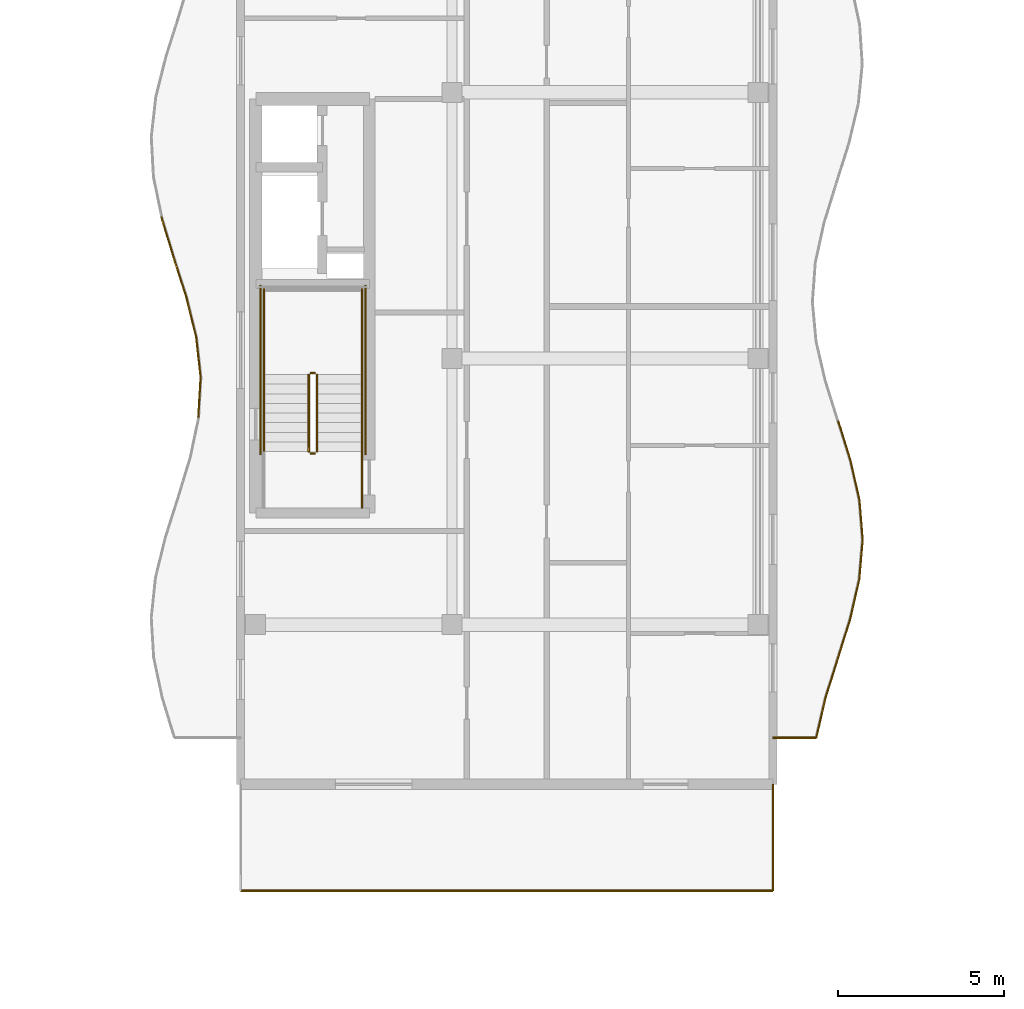
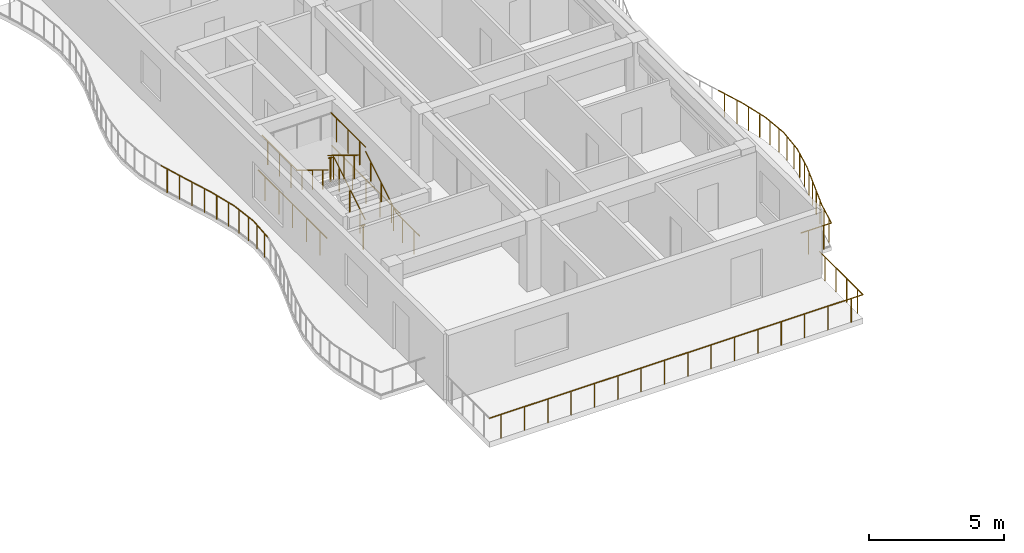
# One storey, part 50 of 71: 27 railings.
"""IFC4 building model written with IfcOpenShell, lengths in metres."""

from ifc_helpers import new_model, si_unit, direction, frame, origin, origin_2d, place, context, subcontext, project, spatial, circle, extrude, material, type_object, element, save


model = new_model("IFC4")

# Units and contexts
model_context = context("Model", 3, precision=1e-05, world=origin(), true_north=direction((0.0, 1.0)))
body_context = subcontext(model_context, "Body", "Model", "MODEL_VIEW")
ifc_project = project(units=[si_unit("LENGTHUNIT", "METRE"), si_unit("AREAUNIT", "SQUARE_METRE"), si_unit("VOLUMEUNIT", "CUBIC_METRE"), si_unit("PLANEANGLEUNIT", "RADIAN"), si_unit("MASSUNIT", "GRAM", prefix="KILO")], contexts=[model_context])

# Site, building, storey
site_placement = place(None, origin())
site = spatial("IfcSite", under=ifc_project, at=site_placement, CompositionType="ELEMENT")
building_placement = place(site_placement, origin())
building = spatial("IfcBuilding", under=site, at=building_placement, Name="Keldmere Railside Commons", CompositionType="ELEMENT")
storey_placement = place(building_placement, frame((0.0, 0.0, 20.159912109375)))
storey = spatial("IfcBuildingStorey", under=building, at=storey_placement, Name="L06", CompositionType="ELEMENT", Elevation=20.159912109375)

# Railings
ifc_material = material(Name="Steel F-24 (S235)", Category="steel")
railing_type_1 = type_object("IfcRailingType", Name="Balcony & Terrace Steel Balustrade 1100", PredefinedType="BALUSTRADE", material=ifc_material)
railing_1_placement = place(storey_placement, frame((64.0, 60.60009765625, 0.0)))
element("IfcRailing", 1, at=railing_1_placement, inside=storey, type_object=railing_type_1, Name="GR-1 GRD-L06-1470", PredefinedType="BALUSTRADE", context=body_context, shape_type="SweptSolid", body=[
    extrude(circle(Radius=0.02392578125, at=origin_2d()), frame((0.0, 0.0, 1.076171875), z_axis=(1.0, 0.0, 0.0), x_axis=(0.0, 1.0, 0.0)), (0.0, 0.0, 1.0), 1.305908203125),
    extrude(circle(Radius=0.02099609375, at=origin_2d()), frame((0.326416015625, 0.0, 0.0)), (0.0, 0.0, 1.0), 1.048095703125),
    extrude(circle(Radius=0.02099609375, at=origin_2d()), frame((0.9794921875, 0.0, 0.0)), (0.0, 0.0, 1.0), 1.048095703125),
])
railing_2_placement = place(storey_placement, frame((65.305908203125, 60.60009765625, 0.0)))
element("IfcRailing", 2, at=railing_2_placement, inside=storey, type_object=railing_type_1, Name="GR-1 GRD-L06-1471", PredefinedType="BALUSTRADE", context=body_context, shape_type="SweptSolid", body=[
    extrude(circle(Radius=0.02392578125, at=origin_2d()), frame((0.0, 0.0, 1.076171875), z_axis=(0.225486678459, 0.974246251128, 0.0), x_axis=(-0.974246251128, 0.225486678459, 0.0)), (0.0, 0.0, 1.0), 1.222412109375),
    extrude(circle(Radius=0.02099609375, at=origin_2d()), frame((0.06884765625, 0.2978515625, 0.0)), (0.0, 0.0, 1.0), 1.048095703125),
    extrude(circle(Radius=0.02099609375, at=origin_2d()), frame((0.206787109375, 0.89306640625, 0.0)), (0.0, 0.0, 1.0), 1.048095703125),
])
railing_3_placement = place(storey_placement, frame((65.58154296875, 61.791015625, 0.0)))
element("IfcRailing", 3, at=railing_3_placement, inside=storey, type_object=railing_type_1, Name="GR-1 GRD-L06-1472", PredefinedType="BALUSTRADE", context=body_context, shape_type="SweptSolid", body=[
    extrude(circle(Radius=0.02392578125, at=origin_2d()), frame((0.0, 0.0, 1.076171875), z_axis=(0.298976801348, 0.954260379695, 0.0), x_axis=(-0.954260379695, 0.298976801348, 0.0)), (0.0, 0.0, 1.0), 1.247802734375),
    extrude(circle(Radius=0.02099609375, at=origin_2d()), frame((0.09326171875, 0.297607421875, 0.0)), (0.0, 0.0, 1.0), 1.048095703125),
    extrude(circle(Radius=0.02099609375, at=origin_2d()), frame((0.27978515625, 0.89306640625, 0.0)), (0.0, 0.0, 1.0), 1.048095703125),
])
railing_4_placement = place(storey_placement, frame((65.95458984375, 62.981689453125, 0.0)))
element("IfcRailing", 4, at=railing_4_placement, inside=storey, type_object=railing_type_1, Name="GR-1 GRD-L06-1473", PredefinedType="BALUSTRADE", context=body_context, shape_type="SweptSolid", body=[
    extrude(circle(Radius=0.02392578125, at=origin_2d()), frame((0.0, 0.0, 1.076171875), z_axis=(0.298029853444, 0.954556549638, 0.0), x_axis=(-0.954556549638, 0.298029853444, 0.0)), (0.0, 0.0, 1.0), 1.24755859375),
    extrude(circle(Radius=0.02099609375, at=origin_2d()), frame((0.093017578125, 0.2978515625, 0.0)), (0.0, 0.0, 1.0), 1.048095703125),
    extrude(circle(Radius=0.02099609375, at=origin_2d()), frame((0.27880859375, 0.89306640625, 0.0)), (0.0, 0.0, 1.0), 1.048095703125),
])
railing_5_placement = place(storey_placement, frame((66.326416015625, 64.172607421875, 0.0)))
element("IfcRailing", 5, at=railing_5_placement, inside=storey, type_object=railing_type_1, Name="GR-1 GRD-L06-1474", PredefinedType="BALUSTRADE", context=body_context, shape_type="SweptSolid", body=[
    extrude(circle(Radius=0.02392578125, at=origin_2d()), frame((0.0, 0.0, 1.076171875), z_axis=(0.223020139877, 0.974813837206, 0.0), x_axis=(-0.974813837206, 0.223020139877, 0.0)), (0.0, 0.0, 1.0), 1.2216796875),
    extrude(circle(Radius=0.02099609375, at=origin_2d()), frame((0.068115234375, 0.2978515625, 0.0)), (0.0, 0.0, 1.0), 1.048095703125),
    extrude(circle(Radius=0.02099609375, at=origin_2d()), frame((0.204345703125, 0.89306640625, 0.0)), (0.0, 0.0, 1.0), 1.048095703125),
])
railing_6_placement = place(storey_placement, frame((66.598876953125, 65.363525390625, 0.0)))
element("IfcRailing", 6, at=railing_6_placement, inside=storey, type_object=railing_type_1, Name="GR-1 GRD-L06-1475", PredefinedType="BALUSTRADE", context=body_context, shape_type="SweptSolid", body=[
    extrude(circle(Radius=0.02392578125, at=origin_2d()), frame((0.0, 0.0, 1.076171875), z_axis=(0.084566825203, 0.996417809995, 0.0), x_axis=(-0.996417809995, 0.084566825203, 0.0)), (0.0, 0.0, 1.0), 1.1953125),
    extrude(circle(Radius=0.02099609375, at=origin_2d()), frame((0.025390625, 0.2978515625, 0.0)), (0.0, 0.0, 1.0), 1.048095703125),
    extrude(circle(Radius=0.02099609375, at=origin_2d()), frame((0.07568359375, 0.89306640625, 0.0)), (0.0, 0.0, 1.0), 1.048095703125),
])
railing_7_placement = place(storey_placement, frame((66.699951171875, 66.554443359375, 0.0)))
element("IfcRailing", 7, at=railing_7_placement, inside=storey, type_object=railing_type_1, Name="GR-1 GRD-L06-1476", PredefinedType="BALUSTRADE", context=body_context, shape_type="SweptSolid", body=[
    extrude(circle(Radius=0.02392578125, at=origin_2d()), frame((0.0, 0.0, 1.076171875), z_axis=(-0.08089814714, 0.996722373477, 0.0), x_axis=(-0.996722373477, -0.08089814714, 0.0)), (0.0, 0.0, 1.0), 1.195068359375),
    extrude(circle(Radius=0.02099609375, at=origin_2d()), frame((-0.024169921875, 0.2978515625, 0.0)), (0.0, 0.0, 1.0), 1.048095703125),
    extrude(circle(Radius=0.02099609375, at=origin_2d()), frame((-0.072509765625, 0.893310546875, 0.0)), (0.0, 0.0, 1.0), 1.048095703125),
])
railing_8_placement = place(storey_placement, frame((66.603271484375, 67.74560546875, 0.0)))
element("IfcRailing", 8, at=railing_8_placement, inside=storey, type_object=railing_type_1, Name="GR-1 GRD-L06-1477", PredefinedType="BALUSTRADE", context=body_context, shape_type="SweptSolid", body=[
    extrude(circle(Radius=0.02392578125, at=origin_2d()), frame((0.0, 0.0, 1.076171875), z_axis=(-0.220592332344, 0.975366096864, 0.0), x_axis=(-0.975366096864, -0.220592332344, 0.0)), (0.0, 0.0, 1.0), 1.220703125),
    extrude(circle(Radius=0.02099609375, at=origin_2d()), frame((-0.0673828125, 0.297607421875, 0.0)), (0.0, 0.0, 1.0), 1.048095703125),
    extrude(circle(Radius=0.02099609375, at=origin_2d()), frame((-0.201904296875, 0.89306640625, 0.0)), (0.0, 0.0, 1.0), 1.048095703125),
])
railing_9_placement = place(storey_placement, frame((66.333984375, 68.936279296875, 0.0)))
element("IfcRailing", 9, at=railing_9_placement, inside=storey, type_object=railing_type_1, Name="GR-1 GRD-L06-1478", PredefinedType="BALUSTRADE", context=body_context, shape_type="SweptSolid", body=[
    extrude(circle(Radius=0.02392578125, at=origin_2d()), frame((0.0, 0.0, 1.076171875), z_axis=(-0.297137939408, 0.954834564186, 0.0), x_axis=(-0.954834564186, -0.297137939408, 0.0)), (0.0, 0.0, 1.0), 1.247314453125),
    extrude(circle(Radius=0.02099609375, at=origin_2d()), frame((-0.0927734375, 0.2978515625, 0.0)), (0.0, 0.0, 1.0), 1.048095703125),
    extrude(circle(Radius=0.02099609375, at=origin_2d()), frame((-0.27783203125, 0.89306640625, 0.0)), (0.0, 0.0, 1.0), 1.048095703125),
])
railing_10_placement = place(storey_placement, frame((46.727783203125, 70.2333984375, 0.0)))
element("IfcRailing", 10, at=railing_10_placement, inside=storey, type_object=railing_type_1, Name="GR-1 GRD-L06-1503", PredefinedType="BALUSTRADE", context=body_context, shape_type="SweptSolid", body=[
    extrude(circle(Radius=0.02392578125, at=origin_2d()), frame((0.0, 0.0, 1.076171875), z_axis=(0.057689649457, 0.998334565336, 0.0), x_axis=(-0.998334565336, 0.057689649457, 0.0)), (0.0, 0.0, 1.0), 1.2060546875),
    extrude(circle(Radius=0.02099609375, at=origin_2d()), frame((0.017333984375, 0.301025390625, 0.0)), (0.0, 0.0, 1.0), 1.048095703125),
    extrude(circle(Radius=0.02099609375, at=origin_2d()), frame((0.05224609375, 0.903076171875, 0.0)), (0.0, 0.0, 1.0), 1.048095703125),
])
railing_11_placement = place(storey_placement, frame((46.79736328125, 71.4375, 0.0)))
element("IfcRailing", 11, at=railing_11_placement, inside=storey, type_object=railing_type_1, Name="GR-1 GRD-L06-1504", PredefinedType="BALUSTRADE", context=body_context, shape_type="SweptSolid", body=[
    extrude(circle(Radius=0.02392578125, at=origin_2d()), frame((0.0, 0.0, 1.076171875), z_axis=(-0.109037782803, 0.994037605889, 0.0), x_axis=(-0.994037605889, -0.109037782803, 0.0)), (0.0, 0.0, 1.0), 1.21142578125),
    extrude(circle(Radius=0.02099609375, at=origin_2d()), frame((-0.032958984375, 0.301025390625, 0.0)), (0.0, 0.0, 1.0), 1.048095703125),
    extrude(circle(Radius=0.02099609375, at=origin_2d()), frame((-0.09912109375, 0.903076171875, 0.0)), (0.0, 0.0, 1.0), 1.048095703125),
])
railing_12_placement = place(storey_placement, frame((46.665283203125, 72.6416015625, 0.0)))
element("IfcRailing", 12, at=railing_12_placement, inside=storey, type_object=railing_type_1, Name="GR-1 GRD-L06-1505", PredefinedType="BALUSTRADE", context=body_context, shape_type="SweptSolid", body=[
    extrude(circle(Radius=0.02392578125, at=origin_2d()), frame((0.0, 0.0, 1.076171875), z_axis=(-0.24031212726, 0.970695668833, 0.0), x_axis=(-0.970695668833, -0.24031212726, 0.0)), (0.0, 0.0, 1.0), 1.240478515625),
    extrude(circle(Radius=0.02099609375, at=origin_2d()), frame((-0.074462890625, 0.301025390625, 0.0)), (0.0, 0.0, 1.0), 1.048095703125),
    extrude(circle(Radius=0.02099609375, at=origin_2d()), frame((-0.2236328125, 0.903076171875, 0.0)), (0.0, 0.0, 1.0), 1.048095703125),
])
railing_13_placement = place(storey_placement, frame((46.3671875, 73.845703125, 0.0)))
element("IfcRailing", 13, at=railing_13_placement, inside=storey, type_object=railing_type_1, Name="GR-1 GRD-L06-1506", PredefinedType="BALUSTRADE", context=body_context, shape_type="SweptSolid", body=[
    extrude(circle(Radius=0.02392578125, at=origin_2d()), frame((0.0, 0.0, 1.076171875), z_axis=(-0.303450802004, 0.952847107758, 0.0), x_axis=(-0.952847107758, -0.303450802004, 0.0)), (0.0, 0.0, 1.0), 1.263916015625),
    extrude(circle(Radius=0.02099609375, at=origin_2d()), frame((-0.095947265625, 0.301025390625, 0.0)), (0.0, 0.0, 1.0), 1.048095703125),
    extrude(circle(Radius=0.02099609375, at=origin_2d()), frame((-0.28759765625, 0.9033203125, 0.0)), (0.0, 0.0, 1.0), 1.048095703125),
])
railing_14_placement = place(storey_placement, frame((45.983642578125, 75.050048828125, 0.0)))
element("IfcRailing", 14, at=railing_14_placement, inside=storey, type_object=railing_type_1, Name="GR-1 GRD-L06-1507", PredefinedType="BALUSTRADE", context=body_context, shape_type="SweptSolid", body=[
    extrude(circle(Radius=0.02392578125, at=origin_2d()), frame((0.0, 0.0, 1.076171875), z_axis=(-0.290621171654, 0.95683819666, 0.0), x_axis=(-0.95683819666, -0.290621171654, 0.0)), (0.0, 0.0, 1.0), 1.25830078125),
    extrude(circle(Radius=0.02099609375, at=origin_2d()), frame((-0.09130859375, 0.301025390625, 0.0)), (0.0, 0.0, 1.0), 1.048095703125),
    extrude(circle(Radius=0.02099609375, at=origin_2d()), frame((-0.2744140625, 0.903076171875, 0.0)), (0.0, 0.0, 1.0), 1.048095703125),
])
railing_15_placement = place(storey_placement, frame((48.0, 56.0, 0.0)))
element("IfcRailing", 15, at=railing_15_placement, inside=storey, type_object=railing_type_1, Name="GR-1 GRD-L06-1547", PredefinedType="BALUSTRADE", context=body_context, shape_type="SweptSolid", body=[
    extrude(circle(Radius=0.02392578125, at=origin_2d()), frame((0.0, 0.0, 1.076171875), z_axis=(1.0, 0.0, 0.0), x_axis=(0.0, 1.0, 0.0)), (0.0, 0.0, 1.0), 16.0),
    extrude(circle(Radius=0.02099609375, at=origin_2d()), frame((0.5, 0.0, 0.0)), (0.0, 0.0, 1.0), 1.048095703125),
    extrude(circle(Radius=0.02099609375, at=origin_2d()), frame((1.5, 0.0, 0.0)), (0.0, 0.0, 1.0), 1.048095703125),
    extrude(circle(Radius=0.02099609375, at=origin_2d()), frame((2.5, 0.0, 0.0)), (0.0, 0.0, 1.0), 1.048095703125),
    extrude(circle(Radius=0.02099609375, at=origin_2d()), frame((3.5, 0.0, 0.0)), (0.0, 0.0, 1.0), 1.048095703125),
    extrude(circle(Radius=0.02099609375, at=origin_2d()), frame((4.5, 0.0, 0.0)), (0.0, 0.0, 1.0), 1.048095703125),
    extrude(circle(Radius=0.02099609375, at=origin_2d()), frame((5.5, 0.0, 0.0)), (0.0, 0.0, 1.0), 1.048095703125),
    extrude(circle(Radius=0.02099609375, at=origin_2d()), frame((6.5, 0.0, 0.0)), (0.0, 0.0, 1.0), 1.048095703125),
    extrude(circle(Radius=0.02099609375, at=origin_2d()), frame((7.5, 0.0, 0.0)), (0.0, 0.0, 1.0), 1.048095703125),
    extrude(circle(Radius=0.02099609375, at=origin_2d()), frame((8.5, 0.0, 0.0)), (0.0, 0.0, 1.0), 1.048095703125),
    extrude(circle(Radius=0.02099609375, at=origin_2d()), frame((9.5, 0.0, 0.0)), (0.0, 0.0, 1.0), 1.048095703125),
    extrude(circle(Radius=0.02099609375, at=origin_2d()), frame((10.5, 0.0, 0.0)), (0.0, 0.0, 1.0), 1.048095703125),
    extrude(circle(Radius=0.02099609375, at=origin_2d()), frame((11.5, 0.0, 0.0)), (0.0, 0.0, 1.0), 1.048095703125),
    extrude(circle(Radius=0.02099609375, at=origin_2d()), frame((12.5, 0.0, 0.0)), (0.0, 0.0, 1.0), 1.048095703125),
    extrude(circle(Radius=0.02099609375, at=origin_2d()), frame((13.5, 0.0, 0.0)), (0.0, 0.0, 1.0), 1.048095703125),
    extrude(circle(Radius=0.02099609375, at=origin_2d()), frame((14.5, 0.0, 0.0)), (0.0, 0.0, 1.0), 1.048095703125),
    extrude(circle(Radius=0.02099609375, at=origin_2d()), frame((15.5, 0.0, 0.0)), (0.0, 0.0, 1.0), 1.048095703125),
])
railing_16_placement = place(storey_placement, frame((64.0, 56.0, 0.0)))
element("IfcRailing", 16, at=railing_16_placement, inside=storey, type_object=railing_type_1, Name="GR-1 GRD-L06-1548", PredefinedType="BALUSTRADE", context=body_context, shape_type="SweptSolid", body=[
    extrude(circle(Radius=0.02392578125, at=origin_2d()), frame((0.0, 0.0, 1.076171875), z_axis=(0.0, 1.0, 0.0), x_axis=(-1.0, 0.0, 0.0)), (0.0, 0.0, 1.0), 3.199951171875),
    extrude(circle(Radius=0.02099609375, at=origin_2d()), frame((0.0, 0.39990234375, 0.0)), (0.0, 0.0, 1.0), 1.048095703125),
    extrude(circle(Radius=0.02099609375, at=origin_2d()), frame((0.0, 1.199951171875, 0.0)), (0.0, 0.0, 1.0), 1.048095703125),
    extrude(circle(Radius=0.02099609375, at=origin_2d()), frame((0.0, 2.0, 0.0)), (0.0, 0.0, 1.0), 1.048095703125),
    extrude(circle(Radius=0.02099609375, at=origin_2d()), frame((0.0, 2.800048828125, 0.0)), (0.0, 0.0, 1.0), 1.048095703125),
])
railing_type_2 = type_object("IfcRailingType", Name="Stair Well Steel Guardrail 1100", PredefinedType="BALUSTRADE", material=ifc_material)
railing_17_placement = place(storey_placement, frame((50.300048828125, 69.199951171875, 0.177978515625)))
element("IfcRailing", 17, at=railing_17_placement, inside=storey, type_object=railing_type_2, Name="L06 ST-C1 stair guard 1", PredefinedType="BALUSTRADE", context=body_context, shape_type="SweptSolid", body=[
    extrude(circle(Radius=0.02392578125, at=origin_2d()), frame((0.0, 0.0, 1.076171875), z_axis=(0.0, 0.852578041948, 0.522599925744), x_axis=(-1.0, 0.0, 0.0)), (0.0, 0.0, 1.0), 2.72119140625),
    extrude(circle(Radius=0.02099609375, at=origin_2d()), frame((0.0, 0.38671875, 0.237060546875)), (0.0, 0.0, 1.0), 1.048095703125),
    extrude(circle(Radius=0.02099609375, at=origin_2d()), frame((0.0, 1.16015625, 0.7109375)), (0.0, 0.0, 1.0), 1.048095703125),
    extrude(circle(Radius=0.02099609375, at=origin_2d()), frame((0.0, 1.933349609375, 1.18505859375)), (0.0, 0.0, 1.0), 1.048095703125),
])
railing_18_placement = place(storey_placement, frame((50.25, 71.570068359375, 1.60009765625)))
element("IfcRailing", 18, at=railing_18_placement, inside=storey, type_object=railing_type_2, Name="L06 ST-C1 stair guard 2", PredefinedType="BALUSTRADE", context=body_context, shape_type="SweptSolid", body=[
    extrude(circle(Radius=0.02392578125, at=origin_2d()), frame((0.0, 0.0, 1.076171875), z_axis=(-1.0, 0.0, 0.0), x_axis=(0.0, -1.0, 0.0)), (0.0, 0.0, 1.0), 0.14990234375),
    extrude(circle(Radius=0.02099609375, at=origin_2d()), frame((-0.074951171875, 0.0, 0.0)), (0.0, 0.0, 1.0), 1.048095703125),
])
for number, where, name in (
    (19, (51.64990234375, 71.52001953125, 1.60009765625), "L06 ST-C1 stair guard 3"),
    (20, (48.699951171875, 71.52001953125, 1.60009765625), "L06 ST-C1 stair guard 4"),
):
    element("IfcRailing", number, at=place(storey_placement, frame(where)), inside=storey, type_object=railing_type_2, Name=name, PredefinedType="BALUSTRADE", context=body_context, shape_type="SweptSolid", body=[
        extrude(circle(Radius=0.02392578125, at=origin_2d()), frame((0.0, 0.0, 1.076171875), z_axis=(0.0, 1.0, 0.0), x_axis=(-1.0, 0.0, 0.0)), (0.0, 0.0, 1.0), 2.580078125),
        extrude(circle(Radius=0.02099609375, at=origin_2d()), frame((0.0, 0.429931640625, 0.0)), (0.0, 0.0, 1.0), 1.048095703125),
        extrude(circle(Radius=0.02099609375, at=origin_2d()), frame((0.0, 1.2900390625, 0.0)), (0.0, 0.0, 1.0), 1.048095703125),
        extrude(circle(Radius=0.02099609375, at=origin_2d()), frame((0.0, 2.150146484375, 0.0)), (0.0, 0.0, 1.0), 1.048095703125),
    ])
railing_19_placement = place(storey_placement, frame((50.050048828125, 71.52001953125, 1.77783203125)))
element("IfcRailing", 21, at=railing_19_placement, inside=storey, type_object=railing_type_2, Name="L06 ST-C1 stair guard 6", PredefinedType="BALUSTRADE", context=body_context, shape_type="SweptSolid", body=[
    extrude(circle(Radius=0.02392578125, at=origin_2d()), frame((0.0, 0.0, 1.076171875), z_axis=(0.0, -0.852538067394, 0.522665135287), x_axis=(1.0, 0.0, 0.0)), (0.0, 0.0, 1.0), 2.721435546875),
    extrude(circle(Radius=0.02099609375, at=origin_2d()), frame((0.0, -0.38671875, 0.237060546875)), (0.0, 0.0, 1.0), 1.048095703125),
    extrude(circle(Radius=0.02099609375, at=origin_2d()), frame((0.0, -1.16015625, 0.711181640625)), (0.0, 0.0, 1.0), 1.048095703125),
    extrude(circle(Radius=0.02099609375, at=origin_2d()), frame((0.0, -1.933349609375, 1.185302734375)), (0.0, 0.0, 1.0), 1.048095703125),
])
railing_20_placement = place(storey_placement, frame((50.25, 69.14990234375, 0.0)))
element("IfcRailing", 22, at=railing_20_placement, inside=storey, type_object=railing_type_2, Name="L06 ST-C1 stair guard 7", PredefinedType="BALUSTRADE", context=body_context, shape_type="SweptSolid", body=[
    extrude(circle(Radius=0.02392578125, at=origin_2d()), frame((0.0, 0.0, 1.076171875), z_axis=(-1.0, 0.0, 0.0), x_axis=(0.0, -1.0, 0.0)), (0.0, 0.0, 1.0), 0.14990234375),
    extrude(circle(Radius=0.02099609375, at=origin_2d()), frame((-0.074951171875, 0.0, 0.0)), (0.0, 0.0, 1.0), 1.048095703125),
])
railing_21_placement = place(storey_placement, frame((51.64990234375, 67.5, 0.0)))
element("IfcRailing", 23, at=railing_21_placement, inside=storey, type_object=railing_type_2, Name="L06 ST-C1 stair guard 8", PredefinedType="BALUSTRADE", context=body_context, shape_type="SweptSolid", body=[
    extrude(circle(Radius=0.02392578125, at=origin_2d()), frame((0.0, 0.0, 1.076171875), z_axis=(0.0, 1.0, 0.0), x_axis=(-1.0, 0.0, 0.0)), (0.0, 0.0, 1.0), 1.699951171875),
    extrude(circle(Radius=0.02099609375, at=origin_2d()), frame((0.0, 0.425048828125, 0.0)), (0.0, 0.0, 1.0), 1.048095703125),
    extrude(circle(Radius=0.02099609375, at=origin_2d()), frame((0.0, 1.27490234375, 0.0)), (0.0, 0.0, 1.0), 1.048095703125),
])
for number, where, name in (
    (24, (51.75, 69.10009765625, 0.0), "L06 ST-C1 stair guard 10"),
    (25, (48.60009765625, 69.10009765625, 0.0), "L06 ST-C1 stair guard 11"),
):
    element("IfcRailing", number, at=place(storey_placement, frame(where)), inside=storey, type_object=railing_type_2, Name=name, PredefinedType="BALUSTRADE", context=body_context, shape_type="SweptSolid", body=[
        extrude(circle(Radius=0.02392578125, at=origin_2d()), frame((0.0, 0.0, 1.076171875), z_axis=(0.0, 1.0, 0.0), x_axis=(-1.0, 0.0, 0.0)), (0.0, 0.0, 1.0), 5.099853515625),
        extrude(circle(Radius=0.02099609375, at=origin_2d()), frame((0.0, 0.510009765625, 0.0)), (0.0, 0.0, 1.0), 1.048095703125),
        extrude(circle(Radius=0.02099609375, at=origin_2d()), frame((0.0, 1.530029296875, 0.0)), (0.0, 0.0, 1.0), 1.048095703125),
        extrude(circle(Radius=0.02099609375, at=origin_2d()), frame((0.0, 2.5498046875, 0.0)), (0.0, 0.0, 1.0), 1.048095703125),
        extrude(circle(Radius=0.02099609375, at=origin_2d()), frame((0.0, 3.56982421875, 0.0)), (0.0, 0.0, 1.0), 1.048095703125),
        extrude(circle(Radius=0.02099609375, at=origin_2d()), frame((0.0, 4.58984375, 0.0)), (0.0, 0.0, 1.0), 1.048095703125),
    ])
railing_type_3 = type_object("IfcRailingType", Name="Wall-Mounted Tubular Steel Handrail 900", PredefinedType="HANDRAIL", material=ifc_material)
railing_22_placement = place(storey_placement, frame((51.64990234375, 69.199951171875, 0.177978515625)))
element("IfcRailing", 26, at=railing_22_placement, inside=storey, type_object=railing_type_3, Name="L06 ST-C1 stair handrail 1", PredefinedType="HANDRAIL", context=body_context, shape_type="SweptSolid", body=[
    extrude(circle(Radius=0.02392578125, at=origin_2d()), frame((0.0, 0.0, 0.8759765625), z_axis=(0.0, 0.852578041948, 0.522599925744), x_axis=(-1.0, 0.0, 0.0)), (0.0, 0.0, 1.0), 2.72119140625),
    extrude(circle(Radius=0.02099609375, at=origin_2d()), frame((0.0, 0.38671875, 0.237060546875)), (0.0, 0.0, 1.0), 0.847900390625),
    extrude(circle(Radius=0.02099609375, at=origin_2d()), frame((0.0, 1.16015625, 0.7109375)), (0.0, 0.0, 1.0), 0.847900390625),
    extrude(circle(Radius=0.02099609375, at=origin_2d()), frame((0.0, 1.933349609375, 1.18505859375)), (0.0, 0.0, 1.0), 0.847900390625),
])
railing_23_placement = place(storey_placement, frame((48.699951171875, 71.52001953125, 1.77783203125)))
element("IfcRailing", 27, at=railing_23_placement, inside=storey, type_object=railing_type_3, Name="L06 ST-C1 stair handrail 2", PredefinedType="HANDRAIL", context=body_context, shape_type="SweptSolid", body=[
    extrude(circle(Radius=0.02392578125, at=origin_2d()), frame((0.0, 0.0, 0.8759765625), z_axis=(0.0, -0.852538067394, 0.522665135287), x_axis=(1.0, 0.0, 0.0)), (0.0, 0.0, 1.0), 2.721435546875),
    extrude(circle(Radius=0.02099609375, at=origin_2d()), frame((0.0, -0.38671875, 0.237060546875)), (0.0, 0.0, 1.0), 0.847900390625),
    extrude(circle(Radius=0.02099609375, at=origin_2d()), frame((0.0, -1.16015625, 0.711181640625)), (0.0, 0.0, 1.0), 0.847900390625),
    extrude(circle(Radius=0.02099609375, at=origin_2d()), frame((0.0, -1.933349609375, 1.185302734375)), (0.0, 0.0, 1.0), 0.847900390625),
])

save(model, "model.ifc")
